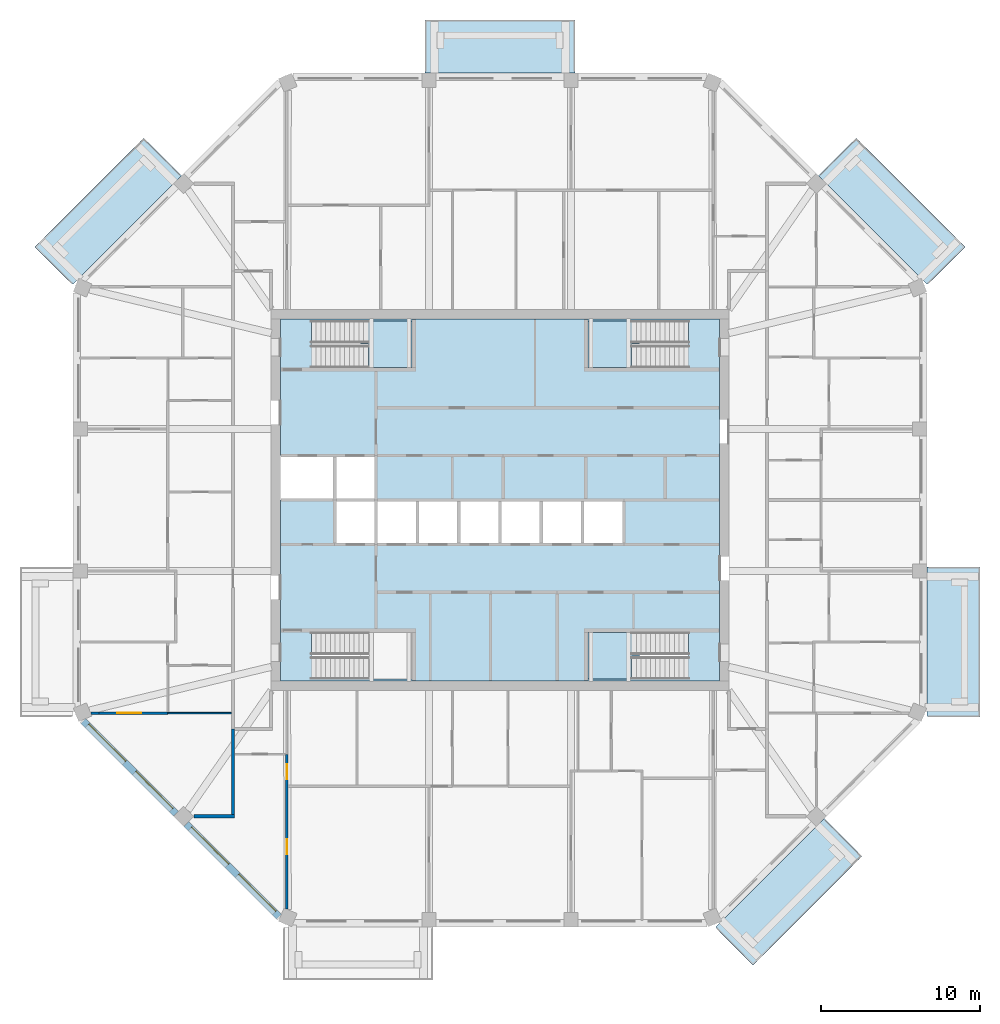
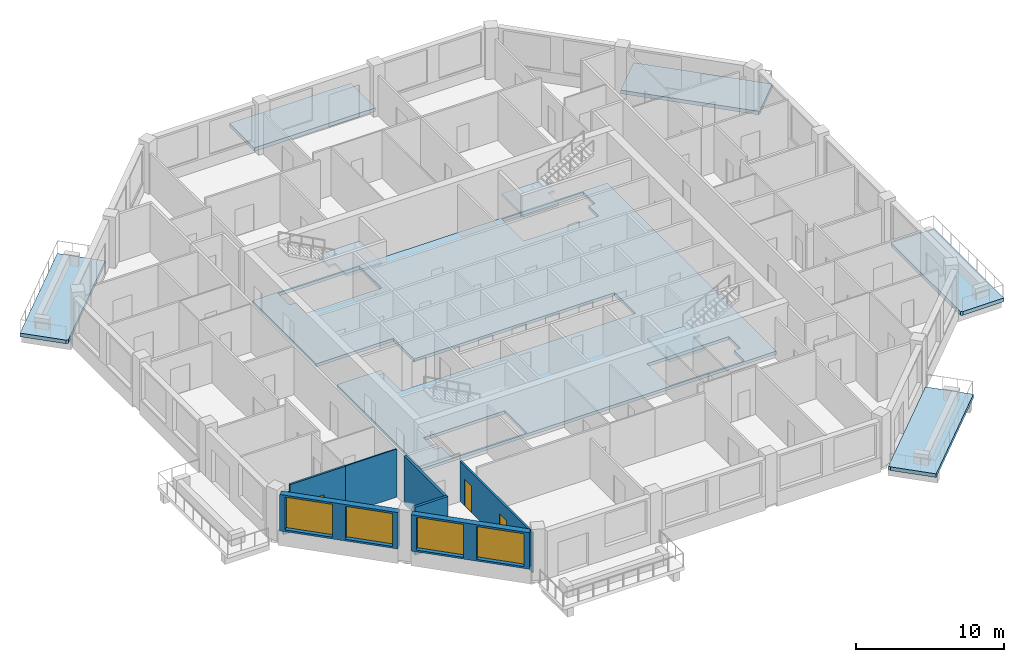
# One storey, part 2 of 11: 9 slabs, 8 walls, 4 windows, 3 doors, 7 openings, 3 elements without a shape of their own.
"""IFC4 building model written with IfcOpenShell, lengths in metres."""

from ifc_helpers import new_model, si_unit, direction, frame, frame_2d, origin, place, context, subcontext, project, spatial, polyline, rectangle, outline, extrude, material, layer, layer_set, type_object, element, fill, aggregate, save


model = new_model("IFC4")

# Units and contexts
model_context = context("Model", 3, precision=1e-05, world=origin(), true_north=direction((0.0, 1.0)))
body_context = subcontext(model_context, "Body", "Model", "MODEL_VIEW")
ifc_project = project(units=[si_unit("LENGTHUNIT", "METRE"), si_unit("AREAUNIT", "SQUARE_METRE"), si_unit("VOLUMEUNIT", "CUBIC_METRE"), si_unit("PLANEANGLEUNIT", "RADIAN"), si_unit("MASSUNIT", "GRAM", prefix="KILO")], contexts=[model_context])

# Site, building, storey
site_placement = place(None, origin())
site = spatial("IfcSite", under=ifc_project, at=site_placement, CompositionType="ELEMENT")
building_placement = place(site_placement, origin())
building = spatial("IfcBuilding", under=site, at=building_placement, Name="Msitu Wima Residences", CompositionType="ELEMENT")
storey_placement = place(building_placement, frame((0.0, 0.0, 264.300048828125)))
storey = spatial("IfcBuildingStorey", under=building, at=storey_placement, Name="L61", CompositionType="ELEMENT", Elevation=264.300048828125)

# Slabs
ifc_material_1 = material(Name="Concrete C40/50", Category="concrete")
ifc_layer_1 = layer(ifc_material_1, 0.300048828125)
ifc_layer_set_1 = layer_set([ifc_layer_1], Name="Concrete C40/50")
slab_type_1 = type_object("IfcSlabType", Name="Balcony slab BS300", PredefinedType="FLOOR", material=ifc_layer_set_1)
slab_1_placement = place(storey_placement, frame((0.0, 0.0, -0.300048828125)))
element("IfcSlab", 1, at=slab_1_placement, inside=storey, type_object=slab_type_1, Name="Balcony E0 L61", PredefinedType="FLOOR", context=body_context, shape_type="SweptSolid", body=[
    extrude(outline(polyline([(26.85009765625, -13.105224609375), (26.85009765625, -13.105224609375), (26.85009765625, -4.918701171875), (26.85009765625, -4.21875), (30.199951171875, -4.21875), (30.199951171875, -13.656005859375), (27.003662109375, -13.656005859375), (26.85009765625, -13.59228515625), (26.85009765625, -13.105224609375), (26.85009765625, -13.105224609375)])), origin(), (0.0, 0.0, 1.0), 0.300048828125),
])
slab_2_placement = place(storey_placement, frame((0.0, 0.0, -0.300048828125)))
element("IfcSlab", 2, at=slab_2_placement, inside=storey, type_object=slab_type_1, Name="Balcony NE0 L61", PredefinedType="FLOOR", context=body_context, shape_type="SweptSolid", body=[
    extrude(outline(polyline([(26.505615234375, 13.936767578125), (26.505615234375, 13.936767578125), (20.04443359375, 20.39794921875), (22.4130859375, 22.766845703125), (29.263671875, 15.916015625), (27.003662109375, 13.656005859375), (26.85009765625, 13.59228515625), (26.505615234375, 13.936767578125), (26.505615234375, 13.936767578125)])), origin(), (0.0, 0.0, 1.0), 0.300048828125),
])
slab_3_placement = place(storey_placement, frame((0.0, 0.0, -0.300048828125)))
element("IfcSlab", 3, at=slab_3_placement, inside=storey, type_object=slab_type_1, Name="Balcony N1 L61", PredefinedType="FLOOR", context=body_context, shape_type="SweptSolid", body=[
    extrude(outline(polyline([(4.0185546875, 26.85009765625), (-4.0185546875, 26.85009765625), (-4.71875, 26.85009765625), (-4.71875, 30.199951171875), (4.71875, 30.199951171875), (4.71875, 26.85009765625), (4.0185546875, 26.85009765625)])), origin(), (0.0, 0.0, 1.0), 0.300048828125),
])
slab_4_placement = place(storey_placement, frame((0.0, 0.0, -0.300048828125)))
element("IfcSlab", 4, at=slab_4_placement, inside=storey, type_object=slab_type_1, Name="Balcony NW1 L61", PredefinedType="FLOOR", context=body_context, shape_type="SweptSolid", body=[
    extrude(outline(polyline([(-26.505615234375, 13.936767578125), (-26.505615234375, 13.936767578125), (-26.85009765625, 13.59228515625), (-27.003662109375, 13.656005859375), (-29.263671875, 15.916015625), (-22.4130859375, 22.766845703125), (-20.04443359375, 20.39794921875), (-26.505615234375, 13.936767578125), (-26.505615234375, 13.936767578125)])), origin(), (0.0, 0.0, 1.0), 0.300048828125),
])
slab_5_placement = place(storey_placement, frame((0.0, 0.0, -0.300048828125)))
element("IfcSlab", 5, at=slab_5_placement, inside=storey, type_object=slab_type_1, Name="Balcony SE0 L61", PredefinedType="FLOOR", context=body_context, shape_type="SweptSolid", body=[
    extrude(outline(polyline([(13.936767578125, -26.505615234375), (13.936767578125, -26.505615234375), (20.39794921875, -20.04443359375), (22.766845703125, -22.4130859375), (15.916015625, -29.263671875), (13.656005859375, -27.003662109375), (13.59228515625, -26.85009765625), (13.936767578125, -26.505615234375), (13.936767578125, -26.505615234375)])), origin(), (0.0, 0.0, 1.0), 0.300048828125),
])
ifc_layer_2 = layer(ifc_material_1, 0.25)
ifc_layer_set_2 = layer_set([ifc_layer_2], Name="Concrete C40/50")
slab_type_2 = type_object("IfcSlabType", Name="Core floor CF250", PredefinedType="FLOOR", material=ifc_layer_set_2)
slab_6_placement = place(storey_placement, frame((0.0, 0.0, -0.25)))
element("IfcSlab", 6, at=slab_6_placement, inside=storey, type_object=slab_type_2, Name="Core floor", PredefinedType="FLOOR", context=body_context, shape_type="SweptSolid", body=[
    extrude(outline(polyline([(-13.800048828125, 11.39990234375), (-13.800048828125, 2.800048828125), (-10.39990234375, 2.800048828125), (-7.800048828125, 2.800048828125), (-7.800048828125, 0.0), (-5.199951171875, 0.0), (-2.60009765625, 0.0), (0.0, 0.0), (2.60009765625, 0.0), (5.199951171875, 0.0), (7.800048828125, 0.0), (7.800048828125, -2.800048828125), (5.199951171875, -2.800048828125), (2.60009765625, -2.800048828125), (0.0, -2.800048828125), (-2.60009765625, -2.800048828125), (-5.199951171875, -2.800048828125), (-7.800048828125, -2.800048828125), (-10.39990234375, -2.800048828125), (-10.39990234375, 0.0), (-13.800048828125, 0.0), (-13.800048828125, -11.39990234375), (13.800048828125, -11.39990234375), (13.800048828125, 11.39990234375), (-13.800048828125, 11.39990234375)]), holes=[polyline([(-11.375, -11.27490234375), (-11.375, -9.875), (-11.87451171875, -9.875), (-11.87451171875, -8.324951171875), (-5.52490234375, -8.324951171875), (-5.52490234375, -11.27490234375), (-11.375, -11.27490234375)]), polyline([(-11.375, 8.324951171875), (-11.375, 9.72509765625), (-11.87451171875, 9.72509765625), (-11.87451171875, 11.27490234375), (-5.52490234375, 11.27490234375), (-5.52490234375, 8.324951171875), (-11.375, 8.324951171875)]), polyline([(11.375, -9.875), (11.375, -11.27490234375), (5.52490234375, -11.27490234375), (5.52490234375, -8.324951171875), (11.87451171875, -8.324951171875), (11.87451171875, -9.875), (11.375, -9.875)]), polyline([(11.375, 9.72509765625), (11.375, 8.324951171875), (5.52490234375, 8.324951171875), (5.52490234375, 11.27490234375), (11.87451171875, 11.27490234375), (11.87451171875, 9.72509765625), (11.375, 9.72509765625)])]), origin(), (0.0, 0.0, 1.0), 0.25),
])

# Stair, slab
stair_type = type_object("IfcStairType", Name="Exit stair ES1615-140", PredefinedType="HALF_TURN_STAIR", material=ifc_material_1)
stair_1_placement = place(storey_placement, origin())
stair_1 = element("IfcStair", 7, at=stair_1_placement, inside=storey, type_object=stair_type, Name="Exit stair 1", PredefinedType="HALF_TURN_STAIR")
ifc_layer_3 = layer(ifc_material_1, 0.199951171875)
ifc_layer_set_3 = layer_set([ifc_layer_3], Name="Concrete C40/50")
slab_type_3 = type_object("IfcSlabType", Name="Stair landing SL200", PredefinedType="LANDING", material=ifc_layer_set_3)
slab_7_placement = place(storey_placement, frame((0.0, 0.0, 1.89990234375)))
slab_7 = element("IfcSlab", 8, at=slab_7_placement, type_object=slab_type_3, Name="S1 landing 1", PredefinedType="LANDING", context=body_context, shape_type="SweptSolid", body=[
    extrude(outline(polyline([(-5.52490234375, 8.324951171875), (-8.275390625, 8.324951171875), (-8.275390625, 9.800048828125), (-8.77490234375, 9.800048828125), (-8.77490234375, 11.27490234375), (-5.52490234375, 11.27490234375), (-5.52490234375, 8.324951171875)])), origin(), (0.0, 0.0, 1.0), 0.199951171875),
])
aggregate(stair_1, [slab_7])

stair_2_placement = place(storey_placement, origin())
stair_2 = element("IfcStair", 9, at=stair_2_placement, inside=storey, type_object=stair_type, Name="Exit stair 3", PredefinedType="HALF_TURN_STAIR")
slab_8_placement = place(storey_placement, frame((0.0, 0.0, 1.89990234375)))
slab_8 = element("IfcSlab", 10, at=slab_8_placement, type_object=slab_type_3, Name="S3 landing 1", PredefinedType="LANDING", context=body_context, shape_type="SweptSolid", body=[
    extrude(outline(polyline([(5.52490234375, 8.324951171875), (8.275390625, 8.324951171875), (8.275390625, 9.800048828125), (8.77490234375, 9.800048828125), (8.77490234375, 11.27490234375), (5.52490234375, 11.27490234375), (5.52490234375, 8.324951171875)])), origin(), (0.0, 0.0, 1.0), 0.199951171875),
])
aggregate(stair_2, [slab_8])

stair_3_placement = place(storey_placement, origin())
stair_3 = element("IfcStair", 11, at=stair_3_placement, inside=storey, type_object=stair_type, Name="Exit stair 4", PredefinedType="HALF_TURN_STAIR")
slab_9_placement = place(storey_placement, frame((0.0, 0.0, 1.89990234375)))
slab_9 = element("IfcSlab", 12, at=slab_9_placement, type_object=slab_type_3, Name="S4 landing 1", PredefinedType="LANDING", context=body_context, shape_type="SweptSolid", body=[
    extrude(outline(polyline([(5.52490234375, -11.27490234375), (8.275390625, -11.27490234375), (8.275390625, -9.800048828125), (8.77490234375, -9.800048828125), (8.77490234375, -8.324951171875), (5.52490234375, -8.324951171875), (5.52490234375, -11.27490234375)])), origin(), (0.0, 0.0, 1.0), 0.199951171875),
])
aggregate(stair_3, [slab_9])

# Wall, openings, windows
ifc_material_2 = material(Name="Brick (red buff mix)", Category="masonry")
ifc_layer_4 = layer(ifc_material_2, 0.449951171875)
ifc_layer_set_4 = layer_set([ifc_layer_4], Name="Brick (red buff mix)")
wall_type_1 = type_object("IfcWallType", Name="Brick infill wall BW450", PredefinedType="SOLIDWALL", material=ifc_layer_set_4)
wall_1_placement = place(storey_placement, frame((-26.214599609375, -13.909423828125, 0.89990234375), z_axis=(0.0, 0.0, 1.0), x_axis=(0.707106781187, -0.707106781187, 0.0)))
wall_1 = element("IfcWall", 13, at=wall_1_placement, inside=storey, type_object=wall_type_1, Name="Brick infill wall L61 SW0", PredefinedType="SOLIDWALL", context=body_context, shape_type="SweptSolid", body=[
    extrude(rectangle(XDim=8.251220703125, YDim=0.449951171875, at=frame_2d((4.12548828125, 0.0))), origin(), (0.0, 0.0, 1.0), 3.0),
])
opening_1_placement = place(wall_1_placement, frame((0.37548828125, 0.0, 0.14990234375)))
opening_1 = element("IfcOpeningElement", 14, at=opening_1_placement, cuts=wall_1, Name="Opening W60-62.025", PredefinedType="OPENING", context=body_context, shape_type="SweptSolid", body=[
    extrude(rectangle(XDim=3.300048828125, YDim=2.699951171875, at=frame_2d((1.64990234375, 1.35009765625))), frame((0.0, 0.23486328125, 0.0), z_axis=(0.0, -1.0, 0.0), x_axis=(1.0, 0.0, 0.0)), (0.0, 0.0, 1.0), 0.469970703125),
])
opening_2_placement = place(wall_1_placement, frame((4.57568359375, 0.0, 0.14990234375)))
opening_2 = element("IfcOpeningElement", 15, at=opening_2_placement, cuts=wall_1, Name="Opening W60-62.026", PredefinedType="OPENING", context=body_context, shape_type="SweptSolid", body=[
    extrude(rectangle(XDim=3.300048828125, YDim=2.699951171875, at=frame_2d((1.64990234375, 1.35009765625))), frame((0.0, 0.23486328125, 0.0), z_axis=(0.0, -1.0, 0.0), x_axis=(1.0, 0.0, 0.0)), (0.0, 0.0, 1.0), 0.469970703125),
])
ifc_material_3 = material(Name="Anodised aluminium, bronze finish, clear low-emissivity double glazing", Category="aluminium")
window_type = type_object("IfcWindowType", Name="Window W3300x2700", PartitioningType="DOUBLE_PANEL_VERTICAL", PredefinedType="WINDOW", material=ifc_material_3)
window_1_placement = place(opening_1_placement, origin())
window_1 = element("IfcWindow", 16, at=window_1_placement, inside=storey, type_object=window_type, Name="Window L61 SW0.1", OverallHeight=2.699951171875, OverallWidth=3.300048828125, PartitioningType="SINGLE_PANEL", PredefinedType="WINDOW", context=body_context, shape_type="SweptSolid", body=[
    extrude(rectangle(XDim=3.300048828125, YDim=2.699951171875, at=frame_2d((1.64990234375, 1.35009765625))), frame((0.0, 0.135009765625, 0.0), z_axis=(0.0, -1.0, 0.0), x_axis=(1.0, 0.0, 0.0)), (0.0, 0.0, 1.0), 0.06005859375),
])
fill(opening_1, window_1)
window_2_placement = place(opening_2_placement, origin())
window_2 = element("IfcWindow", 17, at=window_2_placement, inside=storey, type_object=window_type, Name="Window L61 SW0.2", OverallHeight=2.699951171875, OverallWidth=3.300048828125, PartitioningType="SINGLE_PANEL", PredefinedType="WINDOW", context=body_context, shape_type="SweptSolid", body=[
    extrude(rectangle(XDim=3.300048828125, YDim=2.699951171875, at=frame_2d((1.64990234375, 1.35009765625))), frame((0.0, 0.135009765625, 0.0), z_axis=(0.0, -1.0, 0.0), x_axis=(1.0, 0.0, 0.0)), (0.0, 0.0, 1.0), 0.06005859375),
])
fill(opening_2, window_2)

wall_2_placement = place(storey_placement, frame((-19.743896484375, -20.380126953125, 0.89990234375), z_axis=(0.0, 0.0, 1.0), x_axis=(0.707106781187, -0.707106781187, 0.0)))
wall_2 = element("IfcWall", 18, at=wall_2_placement, inside=storey, type_object=wall_type_1, Name="Brick infill wall L61 SW1", PredefinedType="SOLIDWALL", context=body_context, shape_type="SweptSolid", body=[
    extrude(rectangle(XDim=8.251220703125, YDim=0.449951171875, at=frame_2d((4.12548828125, 0.0))), origin(), (0.0, 0.0, 1.0), 3.0),
])
opening_3_placement = place(wall_2_placement, frame((0.37548828125, 0.0, 0.14990234375)))
opening_3 = element("IfcOpeningElement", 19, at=opening_3_placement, cuts=wall_2, Name="Opening W60-62.027", PredefinedType="OPENING", context=body_context, shape_type="SweptSolid", body=[
    extrude(rectangle(XDim=3.300048828125, YDim=2.699951171875, at=frame_2d((1.64990234375, 1.35009765625))), frame((0.0, 0.23486328125, 0.0), z_axis=(0.0, -1.0, 0.0), x_axis=(1.0, 0.0, 0.0)), (0.0, 0.0, 1.0), 0.469970703125),
])
opening_4_placement = place(wall_2_placement, frame((4.57568359375, 0.0, 0.14990234375)))
opening_4 = element("IfcOpeningElement", 20, at=opening_4_placement, cuts=wall_2, Name="Opening W60-62.028", PredefinedType="OPENING", context=body_context, shape_type="SweptSolid", body=[
    extrude(rectangle(XDim=3.300048828125, YDim=2.699951171875, at=frame_2d((1.64990234375, 1.35009765625))), frame((0.0, 0.23486328125, 0.0), z_axis=(0.0, -1.0, 0.0), x_axis=(1.0, 0.0, 0.0)), (0.0, 0.0, 1.0), 0.469970703125),
])
window_3_placement = place(opening_3_placement, origin())
window_3 = element("IfcWindow", 21, at=window_3_placement, inside=storey, type_object=window_type, Name="Window L61 SW1.1", OverallHeight=2.699951171875, OverallWidth=3.300048828125, PartitioningType="SINGLE_PANEL", PredefinedType="WINDOW", context=body_context, shape_type="SweptSolid", body=[
    extrude(rectangle(XDim=3.300048828125, YDim=2.699951171875, at=frame_2d((1.64990234375, 1.35009765625))), frame((0.0, 0.135009765625, 0.0), z_axis=(0.0, -1.0, 0.0), x_axis=(1.0, 0.0, 0.0)), (0.0, 0.0, 1.0), 0.06005859375),
])
fill(opening_3, window_3)
window_4_placement = place(opening_4_placement, origin())
window_4 = element("IfcWindow", 22, at=window_4_placement, inside=storey, type_object=window_type, Name="Window L61 SW1.2", OverallHeight=2.699951171875, OverallWidth=3.300048828125, PartitioningType="SINGLE_PANEL", PredefinedType="WINDOW", context=body_context, shape_type="SweptSolid", body=[
    extrude(rectangle(XDim=3.300048828125, YDim=2.699951171875, at=frame_2d((1.64990234375, 1.35009765625))), frame((0.0, 0.135009765625, 0.0), z_axis=(0.0, -1.0, 0.0), x_axis=(1.0, 0.0, 0.0)), (0.0, 0.0, 1.0), 0.06005859375),
])
fill(opening_4, window_4)

# Wall
ifc_material_4 = material(Name="Plaster")
ifc_layer_5 = layer(ifc_material_4, 0.011962890625, Name="Plaster")
ifc_material_5 = material(Name="Concrete blockwork", Category="masonry")
ifc_layer_6 = layer(ifc_material_5, 0.1259765625, Name="Concrete blockwork")
ifc_layer_7 = layer(ifc_material_4, 0.011962890625, Name="Plaster")
ifc_layer_set_5 = layer_set([ifc_layer_5, ifc_layer_6, ifc_layer_7], Name="Concrete blockwork")
wall_type_2 = type_object("IfcWallType", Name="Partition PW150", PredefinedType="PARTITIONING", material=ifc_layer_set_5)
wall_3_placement = place(storey_placement, frame((-25.731201171875, -13.406005859375, 0.0), z_axis=(0.0, 0.0, 1.0), x_axis=(1.0, 0.0, 0.0)))
element("IfcWall", 23, at=wall_3_placement, inside=storey, type_object=wall_type_2, Name="Partition", PredefinedType="PARTITIONING", context=body_context, shape_type="SweptSolid", body=[
    extrude(rectangle(XDim=0.507080078125, YDim=0.14990234375, at=frame_2d((0.25341796875, 0.0))), origin(), (0.0, 0.0, 1.0), 3.349853515625),
])

# Wall, opening, door
wall_4_placement = place(storey_placement, frame((-25.22412109375, -13.406005859375, 0.0), z_axis=(0.0, 0.0, 1.0), x_axis=(1.0, 0.0, 0.0)))
wall_4 = element("IfcWall", 24, at=wall_4_placement, inside=storey, type_object=wall_type_2, Name="Partition", PredefinedType="PARTITIONING", context=body_context, shape_type="SweptSolid", body=[
    extrude(rectangle(XDim=4.32421875, YDim=0.14990234375, at=frame_2d((2.162109375, 0.0))), origin(), (0.0, 0.0, 1.0), 3.949951171875),
])
opening_5_placement = place(wall_4_placement, frame((1.142822265625, 0.0, 0.0)))
opening_5 = element("IfcOpeningElement", 25, at=opening_5_placement, cuts=wall_4, Name="Opening D60-62.047", PredefinedType="OPENING", context=body_context, shape_type="SweptSolid", body=[
    extrude(rectangle(XDim=1.5, YDim=2.199951171875, at=frame_2d((0.75, 1.10009765625))), frame((0.0, 0.0849609375, 0.0), z_axis=(0.0, -1.0, 0.0), x_axis=(1.0, 0.0, 0.0)), (0.0, 0.0, 1.0), 0.169921875),
])
ifc_material_6 = material(Name="Timber double door", Category="wood")
door_type_1 = type_object("IfcDoorType", Name="Double door D04 1500x2200", OperationType="DOUBLE_DOOR_SINGLE_SWING", PredefinedType="DOOR", material=ifc_material_6)
door_1_placement = place(opening_5_placement, origin())
door_1 = element("IfcDoor", 26, at=door_1_placement, inside=storey, type_object=door_type_1, Name="Double door", OperationType="DOUBLE_DOOR_SINGLE_SWING", OverallHeight=2.199951171875, OverallWidth=1.5, PredefinedType="DOOR", context=body_context, shape_type="SweptSolid", body=[
    extrude(rectangle(XDim=1.5, YDim=2.199951171875, at=frame_2d((0.75, 1.10009765625))), frame((0.0, 0.02490234375, 0.0), z_axis=(0.0, -1.0, 0.0), x_axis=(1.0, 0.0, 0.0)), (0.0, 0.0, 1.0), 0.050048828125),
])
fill(opening_5, door_1)

# Wall, openings, doors
wall_5_placement = place(storey_placement, frame((-13.406005859375, -25.731201171875, 0.0), z_axis=(0.0, 0.0, 1.0), x_axis=(0.0, 1.0, 0.0)))
wall_5 = element("IfcWall", 27, at=wall_5_placement, inside=storey, type_object=wall_type_2, Name="Partition", PredefinedType="PARTITIONING", context=body_context, shape_type="SweptSolid", body=[
    extrude(rectangle(XDim=9.731201171875, YDim=0.14990234375, at=frame_2d((4.86572265625, 0.0))), origin(), (0.0, 0.0, 1.0), 3.300048828125),
])
opening_6_placement = place(wall_5_placement, frame((3.449951171875, 0.0, 0.0)))
opening_6 = element("IfcOpeningElement", 28, at=opening_6_placement, cuts=wall_5, Name="Opening D60-62.054", PredefinedType="OPENING", context=body_context, shape_type="SweptSolid", body=[
    extrude(rectangle(XDim=0.949951171875, YDim=2.199951171875, at=frame_2d((0.47509765625, 1.10009765625))), frame((0.0, 0.0849609375, 0.0), z_axis=(0.0, -1.0, 0.0), x_axis=(1.0, 0.0, 0.0)), (0.0, 0.0, 1.0), 0.169921875),
])
opening_7_placement = place(wall_5_placement, frame((8.14990234375, 0.0, 0.0)))
opening_7 = element("IfcOpeningElement", 29, at=opening_7_placement, cuts=wall_5, Name="Opening D60-62.055", PredefinedType="OPENING", context=body_context, shape_type="SweptSolid", body=[
    extrude(rectangle(XDim=0.949951171875, YDim=2.199951171875, at=frame_2d((0.47509765625, 1.10009765625))), frame((0.0, 0.0849609375, 0.0), z_axis=(0.0, -1.0, 0.0), x_axis=(1.0, 0.0, 0.0)), (0.0, 0.0, 1.0), 0.169921875),
])
ifc_material_7 = material(Name="Timber flush door", Category="wood")
door_type_2 = type_object("IfcDoorType", Name="Room door D12 950x2200", OperationType="SINGLE_SWING_LEFT", PredefinedType="DOOR", material=ifc_material_7)
door_2_placement = place(opening_6_placement, origin())
door_2 = element("IfcDoor", 30, at=door_2_placement, inside=storey, type_object=door_type_2, Name="Room door", OperationType="SINGLE_SWING_RIGHT", OverallHeight=2.199951171875, OverallWidth=0.949951171875, PredefinedType="DOOR", context=body_context, shape_type="SweptSolid", body=[
    extrude(rectangle(XDim=0.949951171875, YDim=2.199951171875, at=frame_2d((0.47509765625, 1.10009765625))), frame((0.0, 0.02490234375, 0.0), z_axis=(0.0, -1.0, 0.0), x_axis=(1.0, 0.0, 0.0)), (0.0, 0.0, 1.0), 0.050048828125),
])
fill(opening_6, door_2)
door_3_placement = place(opening_7_placement, origin())
door_3 = element("IfcDoor", 31, at=door_3_placement, inside=storey, type_object=door_type_2, Name="Room door", OperationType="SINGLE_SWING_RIGHT", OverallHeight=2.199951171875, OverallWidth=0.949951171875, PredefinedType="DOOR", context=body_context, shape_type="SweptSolid", body=[
    extrude(rectangle(XDim=0.949951171875, YDim=2.199951171875, at=frame_2d((0.47509765625, 1.10009765625))), frame((0.0, 0.02490234375, 0.0), z_axis=(0.0, -1.0, 0.0), x_axis=(1.0, 0.0, 0.0)), (0.0, 0.0, 1.0), 0.050048828125),
])
fill(opening_7, door_3)

# Walls
ifc_layer_8 = layer(ifc_material_4, 0.011962890625, Name="Plaster")
ifc_material_8 = material(Name="Dense concrete blockwork", Category="masonry")
ifc_layer_9 = layer(ifc_material_8, 0.176025390625, Name="Dense concrete blockwork")
ifc_layer_10 = layer(ifc_material_4, 0.011962890625, Name="Plaster")
ifc_layer_set_6 = layer_set([ifc_layer_8, ifc_layer_9, ifc_layer_10], Name="Dense concrete blockwork")
wall_type_3 = type_object("IfcWallType", Name="Party wall PW200", PredefinedType="PARTITIONING", material=ifc_layer_set_6)
wall_6_placement = place(storey_placement, frame((-19.2666015625, -19.90283203125, 0.0), z_axis=(0.0, 0.0, 1.0), x_axis=(1.0, 0.0, 0.0)))
element("IfcWall", 32, at=wall_6_placement, inside=storey, type_object=wall_type_3, Name="Party wall", PredefinedType="PARTITIONING", context=body_context, shape_type="SweptSolid", body=[
    extrude(rectangle(XDim=2.566650390625, YDim=0.199951171875, at=frame_2d((1.283203125, 0.0))), origin(), (0.0, 0.0, 1.0), 3.949951171875),
])
wall_7_placement = place(storey_placement, frame((-16.800048828125, -19.802978515625, 0.0), z_axis=(0.0, 0.0, 1.0), x_axis=(0.0, 1.0, 0.0)))
element("IfcWall", 33, at=wall_7_placement, inside=storey, type_object=wall_type_3, Name="Party wall", PredefinedType="PARTITIONING", context=body_context, shape_type="SweptSolid", body=[
    extrude(rectangle(XDim=5.403076171875, YDim=0.199951171875, at=frame_2d((2.70166015625, 0.0))), origin(), (0.0, 0.0, 1.0), 3.949951171875),
])
ifc_material_9 = material(Name="Ceramic tiles")
ifc_layer_11 = layer(ifc_material_9, 0.008056640625, Name="Ceramic tiles")
ifc_material_10 = material(Name="Moisture-resistant board")
ifc_layer_12 = layer(ifc_material_10, 0.012451171875, Name="Moisture-resistant board")
ifc_material_11 = material(Name="Light-gauge stud framing with mineral wool")
ifc_layer_13 = layer(ifc_material_11, 0.06689453125, Name="Light-gauge stud framing with mineral wool")
ifc_layer_14 = layer(ifc_material_10, 0.012451171875, Name="Moisture-resistant board")
ifc_layer_set_7 = layer_set([ifc_layer_11, ifc_layer_12, ifc_layer_13, ifc_layer_14], Name="Light-gauge stud framing with mineral wool")
wall_type_4 = type_object("IfcWallType", Name="Wet wall PW100", PredefinedType="PARTITIONING", material=ifc_layer_set_7)
wall_8_placement = place(storey_placement, frame((-20.89990234375, -13.406005859375, 0.0), z_axis=(0.0, 0.0, 1.0), x_axis=(1.0, 0.0, 0.0)))
element("IfcWall", 34, at=wall_8_placement, inside=storey, type_object=wall_type_4, Name="Wet wall", PredefinedType="PARTITIONING", context=body_context, shape_type="SweptSolid", body=[
    extrude(rectangle(XDim=4.0, YDim=0.10009765625, at=frame_2d((2.0, 0.0))), origin(), (0.0, 0.0, 1.0), 3.949951171875),
])

save(model, "model.ifc")
